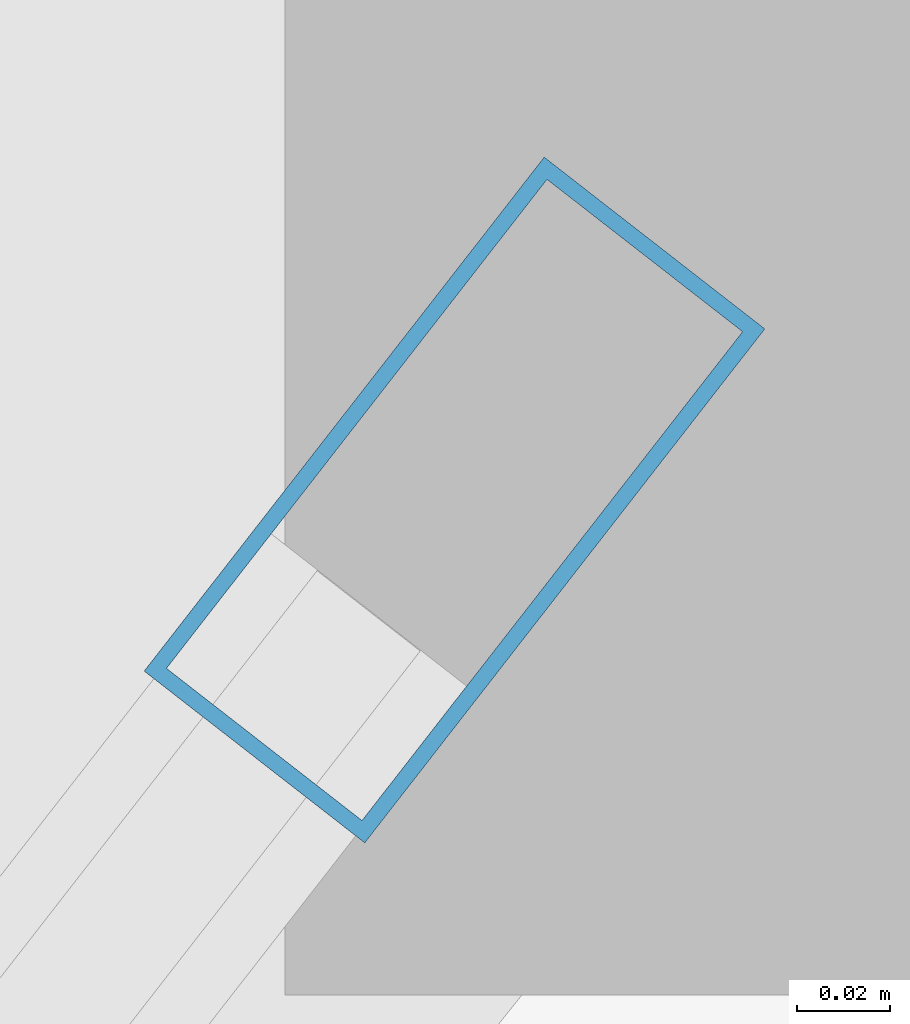
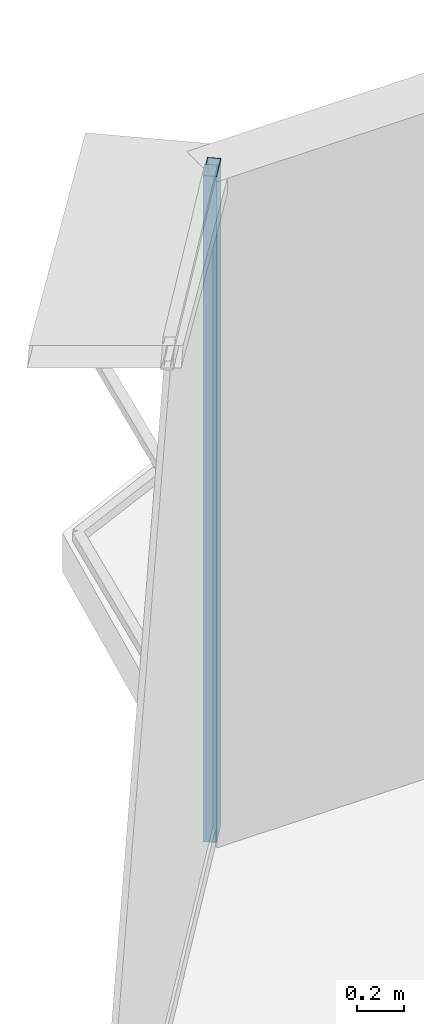
# One storey, part 24 of 40: 1 member, 1 element without a shape of its own.
"""IFC4 building model written with IfcOpenShell, lengths in metres."""

from ifc_helpers import new_model, si_unit, direction, frame, origin, origin_2d, place, context, subcontext, project, spatial, hollow_rectangle, extrude, source, transform, mapped, material, layer, layer_set, material_profile, profile_set, type_object, element, aggregate, save


model = new_model("IFC4")

# Units and contexts
model_context = context("Model", 3, precision=1e-05, world=origin(), true_north=direction((0.0, 1.0)))
body_context = subcontext(model_context, "Body", "Model", "MODEL_VIEW")
ifc_project = project(units=[si_unit("LENGTHUNIT", "METRE"), si_unit("AREAUNIT", "SQUARE_METRE"), si_unit("VOLUMEUNIT", "CUBIC_METRE"), si_unit("PLANEANGLEUNIT", "RADIAN"), si_unit("MASSUNIT", "GRAM", prefix="KILO"), si_unit("THERMODYNAMICTEMPERATUREUNIT", "KELVIN"), si_unit("POWERUNIT", "WATT")], contexts=[model_context])

# Site, building, storey
site_placement = place(None, origin())
site = spatial("IfcSite", under=ifc_project, at=site_placement, CompositionType="ELEMENT")
building_placement = place(site_placement, origin())
building = spatial("IfcBuilding", under=site, at=building_placement, Name="Yunzhuo Pagoda Commons", CompositionType="ELEMENT")
storey_placement = place(building_placement, frame((0.0, 0.0, 292.47998046875)))
storey = spatial("IfcBuildingStorey", under=building, at=storey_placement, Name="L73", CompositionType="ELEMENT", Elevation=292.47998046875)

# Curtain wall, member
ifc_material = material(Name="Anodized aluminium 6063-T6", Category="aluminium")
ifc_layer = layer(ifc_material, 0.139892578125)
ifc_layer_set = layer_set([ifc_layer], Name="Anodized aluminium 6063-T6")
curtain_wall_type = type_object("IfcCurtainWallType", Name="CW-HI High-Zone Ribbon Curtain Wall", PredefinedType="NOTDEFINED", material=ifc_layer_set)
curtain_wall_placement = place(storey_placement, origin())
curtain_wall = element("IfcCurtainWall", 1, at=curtain_wall_placement, inside=storey, type_object=curtain_wall_type, Name="L73 curtain wall CW-L73-F3B1", PredefinedType="NOTDEFINED")
ifc_material_profile = material_profile(ifc_material, hollow_rectangle(XDim=0.06005859375, YDim=0.139892578125, WallThickness=0.00341796875, at=origin_2d()), Name="Anodized aluminium 6063-T6")
ifc_profile_set = profile_set([ifc_material_profile], Name="Anodized aluminium 6063-T6")
member_type = type_object("IfcMemberType", Name="CW-HI-M Mullion RHS 140x60x3.5", PredefinedType="MULLION", material=ifc_profile_set)
shared_shape = source(origin(), body_context, "Body", "SweptSolid", [
    extrude(hollow_rectangle(XDim=0.06005859375, YDim=0.139892578125, WallThickness=0.00341796875, at=origin_2d()), origin(), (0.0, 0.0, 1.0), 3.4697265625),
])
member_placement = place(storey_placement, frame((44.50146484375, 75.7666015625, 0.000244140625), z_axis=(0.0, 0.0, 1.0), x_axis=(0.789102923127, -0.614261000482, 0.0)))
member = element("IfcMember", 2, at=member_placement, type_object=member_type, Name="CW mullion 1", PredefinedType="MULLION", context=body_context, shape_type="MappedRepresentation", body=[
    mapped(shared_shape, transform((0.0, 0.0, 0.0), scale=1.0)),
])
aggregate(curtain_wall, [member])

save(model, "model.ifc")
